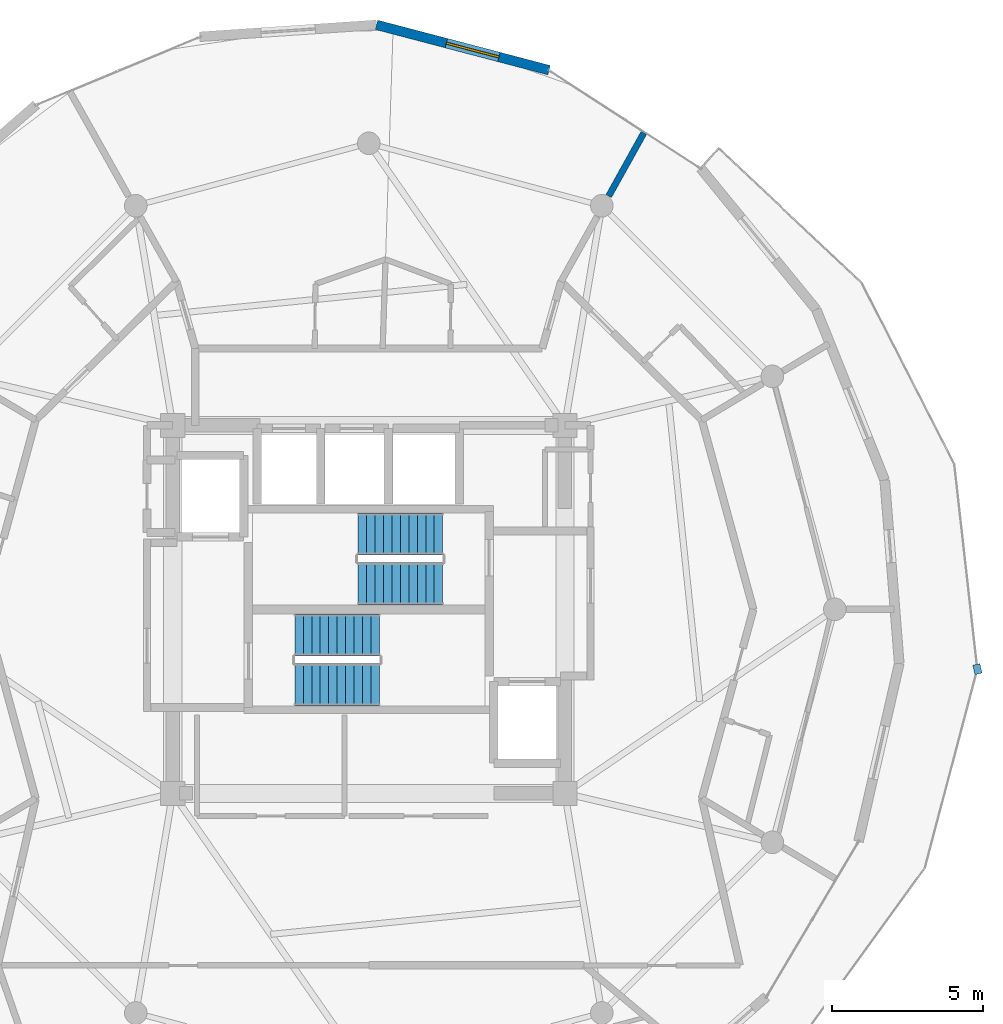
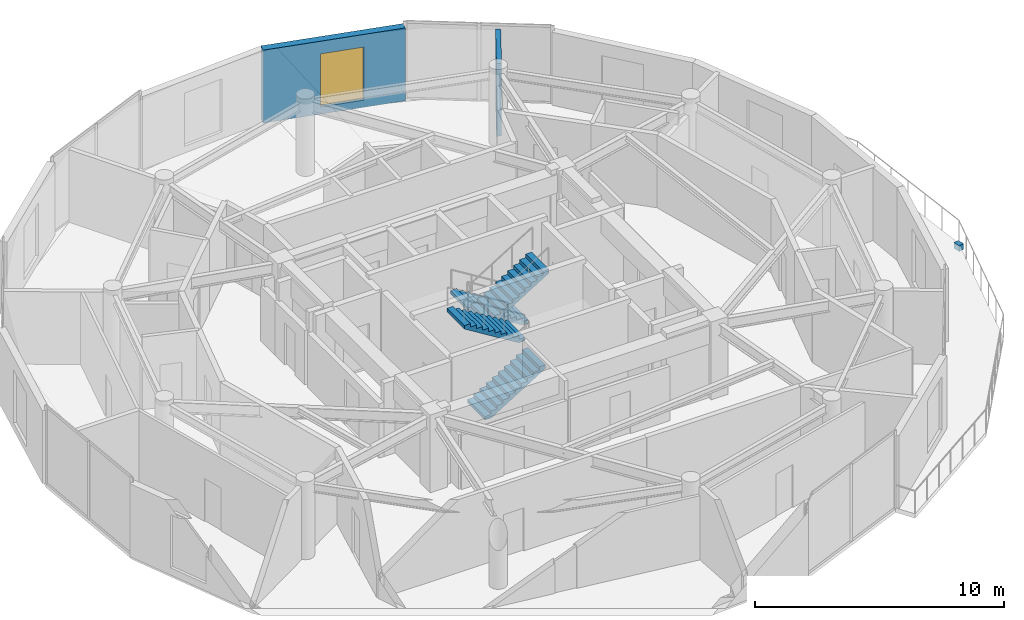
# One storey, part 20 of 22: 4 stair flights, 2 walls, 1 discrete accessory, 1 window, 1 opening, 2 elements without a shape of their own.
"""IFC4 building model written with IfcOpenShell, lengths in metres."""

from ifc_helpers import new_model, si_unit, direction, frame, frame_2d, origin, origin_2d, place, context, subcontext, project, spatial, polyline, rectangle, outline, extrude, material, layer, layer_set, type_object, element, fill, aggregate, save


model = new_model("IFC4")

# Units and contexts
model_context = context("Model", 3, precision=1e-05, world=origin(), true_north=direction((0.0, 1.0)))
body_context = subcontext(model_context, "Body", "Model", "MODEL_VIEW")
ifc_project = project(units=[si_unit("LENGTHUNIT", "METRE"), si_unit("AREAUNIT", "SQUARE_METRE"), si_unit("VOLUMEUNIT", "CUBIC_METRE"), si_unit("PLANEANGLEUNIT", "RADIAN"), si_unit("MASSUNIT", "GRAM", prefix="KILO")], contexts=[model_context])

# Site, building, storey
site_placement = place(None, origin())
site = spatial("IfcSite", under=ifc_project, at=site_placement, CompositionType="ELEMENT")
building_placement = place(site_placement, origin())
building = spatial("IfcBuilding", under=site, at=building_placement, Name="Solvirekh Grand Hotel", CompositionType="ELEMENT")
storey_placement = place(building_placement, frame((0.0, 0.0, 239.199951171875)))
storey = spatial("IfcBuildingStorey", under=building, at=storey_placement, Name="L62", CompositionType="ELEMENT", Elevation=239.199951171875)

# Wall, opening, window
ifc_material_1 = material(Name="Precast concrete C45/55", Category="concrete")
ifc_layer_1 = layer(ifc_material_1, 0.320068359375)
ifc_layer_set_1 = layer_set([ifc_layer_1], Name="Precast concrete C45/55")
wall_type_1 = type_object("IfcWallType", Name="ExtLobbyWall_RC320", PredefinedType="SOLIDWALL", material=ifc_layer_set_1)
wall_1_placement = place(storey_placement, frame((0.256103515625, 19.37890625, 0.0), z_axis=(0.0, 0.0, 1.0), x_axis=(0.967181914063, -0.254084917124, 0.0)))
wall_1 = element("IfcWall", 1, at=wall_1_placement, inside=storey, type_object=wall_type_1, Name="L62 exterior structural wall chord 9", PredefinedType="SOLIDWALL", context=body_context, shape_type="SweptSolid", body=[
    extrude(rectangle(XDim=5.9150390625, YDim=0.320068359375, at=frame_2d((2.95751953125, 0.0))), origin(), (0.0, 0.0, 1.0), 3.570068359375),
])
opening_placement = place(wall_1_placement, frame((2.39599609375, 0.0, 0.35009765625)))
opening = element("IfcOpeningElement", 2, at=opening_placement, cuts=wall_1, Name="Opening W02", PredefinedType="OPENING", context=body_context, shape_type="SweptSolid", body=[
    extrude(rectangle(XDim=1.800048828125, YDim=2.60009765625, at=frame_2d((0.89990234375, 1.300048828125))), frame((0.0, 0.169921875, 0.0), z_axis=(0.0, -1.0, 0.0), x_axis=(1.0, 0.0, 0.0)), (0.0, 0.0, 1.0), 0.340087890625),
])
ifc_material_2 = material(Name="Low-E Tinted Bronze Laminated Glass", Category="aluminium")
window_type = type_object("IfcWindowType", Name="Win_LobbyExt_1800X2600", PartitioningType="SINGLE_PANEL", PredefinedType="WINDOW", material=ifc_material_2)
window_placement = place(opening_placement, origin())
window = element("IfcWindow", 3, at=window_placement, inside=storey, type_object=window_type, Name="L62 panoramic bronze-framed window 9", OverallHeight=2.60009765625, OverallWidth=1.800048828125, PartitioningType="SINGLE_PANEL", PredefinedType="WINDOW", context=body_context, shape_type="SweptSolid", body=[
    extrude(rectangle(XDim=1.800048828125, YDim=2.60009765625, at=frame_2d((0.89990234375, 1.300048828125))), frame((0.0, 0.030029296875, 0.0), z_axis=(0.0, -1.0, 0.0), x_axis=(1.0, 0.0, 0.0)), (0.0, 0.0, 1.0), 0.06005859375),
])
fill(opening, window)

# Wall
ifc_material_3 = material(Name="Acoustic Gypsum Partition Assembly")
ifc_layer_2 = layer(ifc_material_3, 0.2099609375)
ifc_layer_set_2 = layer_set([ifc_layer_2], Name="Acoustic Gypsum Partition Assembly")
wall_type_2 = type_object("IfcWallType", Name="Part_SuiteDemise_210", PredefinedType="PARTITIONING", material=ifc_layer_set_2)
wall_2_placement = place(storey_placement, frame((7.9541015625, 13.701904296875, 0.0), z_axis=(0.0, 0.0, 1.0), x_axis=(0.486456485885, 0.873704805607, 0.0)))
element("IfcWall", 4, at=wall_2_placement, inside=storey, type_object=wall_type_2, Name="L62 suite radial wall 3 (B)", PredefinedType="PARTITIONING", context=body_context, shape_type="SweptSolid", body=[
    extrude(rectangle(XDim=2.39453125, YDim=0.2099609375, at=frame_2d((1.197265625, 0.0))), origin(), (0.0, 0.0, 1.0), 3.570068359375),
])

# Stair, stair flights
ifc_material_4 = material(Name="Concrete C40/50", Category="concrete")
stair_type = type_object("IfcStairType", Name="Stair_Core_1450", PredefinedType="HALF_TURN_STAIR", material=ifc_material_4)
stair_1_placement = place(storey_placement, origin())
stair_1 = element("IfcStair", 5, at=stair_1_placement, inside=storey, type_object=stair_type, Name="L62 Enclosed exit stair ST-1", PredefinedType="HALF_TURN_STAIR")
stair_flight_type = type_object("IfcStairFlightType", Name="Flight_Core_1450", PredefinedType="STRAIGHT", material=ifc_material_4)
stair_flight_1_placement = place(storey_placement, frame((-2.449951171875, -2.5, 0.0), z_axis=(0.0, 0.0, 1.0), x_axis=(1.0, 0.0, 0.0)))
stair_flight_1 = element("IfcStairFlight", 6, at=stair_flight_1_placement, type_object=stair_flight_type, Name="ST-1 flight 1", NumberOfRisers=11, NumberOfTreads=10, PredefinedType="STRAIGHT", RiserHeight=0.172727273, TreadLength=0.28, context=body_context, shape_type="SweptSolid", body=[
    extrude(outline(polyline([(0.0, 0.0), (0.0, 0.172607421875), (0.280029296875, 0.172607421875), (0.280029296875, 0.345458984375), (0.56005859375, 0.345458984375), (0.56005859375, 0.51806640625), (0.840087890625, 0.51806640625), (0.840087890625, 0.69091796875), (1.1201171875, 0.69091796875), (1.1201171875, 0.863525390625), (1.39990234375, 0.863525390625), (1.39990234375, 1.036376953125), (1.679931640625, 1.036376953125), (1.679931640625, 1.208984375), (1.9599609375, 1.208984375), (1.9599609375, 1.3818359375), (2.239990234375, 1.3818359375), (2.239990234375, 1.554443359375), (2.52001953125, 1.554443359375), (2.52001953125, 1.727294921875), (2.800048828125, 1.727294921875), (2.800048828125, 1.89990234375), (2.800048828125, 1.551025390625), (0.285400390625, 0.0), (0.0, 0.0)])), frame((0.0, 0.699951171875, 0.0), z_axis=(0.0, -1.0, 0.0), x_axis=(1.0, 0.0, 0.0)), (0.0, 0.0, 1.0), 1.39990234375),
])
stair_flight_2_placement = place(storey_placement, frame((0.35009765625, -0.85009765625, 1.900146484375), z_axis=(0.0, 0.0, 1.0), x_axis=(-1.0, 0.0, 0.0)))
stair_flight_2 = element("IfcStairFlight", 7, at=stair_flight_2_placement, type_object=stair_flight_type, Name="ST-1 flight 2", NumberOfRisers=11, NumberOfTreads=10, PredefinedType="STRAIGHT", RiserHeight=0.172727273, TreadLength=0.28, context=body_context, shape_type="SweptSolid", body=[
    extrude(outline(polyline([(0.0, 0.0), (0.0, 0.172607421875), (0.280029296875, 0.172607421875), (0.280029296875, 0.345458984375), (0.56005859375, 0.345458984375), (0.56005859375, 0.51806640625), (0.840087890625, 0.51806640625), (0.840087890625, 0.69091796875), (1.1201171875, 0.69091796875), (1.1201171875, 0.863525390625), (1.39990234375, 0.863525390625), (1.39990234375, 1.036376953125), (1.679931640625, 1.036376953125), (1.679931640625, 1.208984375), (1.9599609375, 1.208984375), (1.9599609375, 1.3818359375), (2.239990234375, 1.3818359375), (2.239990234375, 1.554443359375), (2.52001953125, 1.554443359375), (2.52001953125, 1.727294921875), (2.800048828125, 1.727294921875), (2.800048828125, 1.89990234375), (2.800048828125, 1.551025390625), (0.285400390625, 0.0), (0.0, 0.0)])), frame((0.0, 0.699951171875, 0.0), z_axis=(0.0, -1.0, 0.0), x_axis=(1.0, 0.0, 0.0)), (0.0, 0.0, 1.0), 1.39990234375),
])
aggregate(stair_1, [stair_flight_1, stair_flight_2])

stair_2_placement = place(storey_placement, origin())
stair_2 = element("IfcStair", 8, at=stair_2_placement, inside=storey, type_object=stair_type, Name="L62 Enclosed exit stair ST-2", PredefinedType="HALF_TURN_STAIR")
stair_flight_3_placement = place(storey_placement, frame((2.449951171875, 2.5, 0.0), z_axis=(0.0, 0.0, 1.0), x_axis=(-1.0, 0.0, 0.0)))
stair_flight_3 = element("IfcStairFlight", 9, at=stair_flight_3_placement, type_object=stair_flight_type, Name="ST-2 flight 1", NumberOfRisers=11, NumberOfTreads=10, PredefinedType="STRAIGHT", RiserHeight=0.172727273, TreadLength=0.28, context=body_context, shape_type="SweptSolid", body=[
    extrude(outline(polyline([(0.0, 0.0), (0.0, 0.172607421875), (0.280029296875, 0.172607421875), (0.280029296875, 0.345458984375), (0.56005859375, 0.345458984375), (0.56005859375, 0.51806640625), (0.840087890625, 0.51806640625), (0.840087890625, 0.69091796875), (1.1201171875, 0.69091796875), (1.1201171875, 0.863525390625), (1.39990234375, 0.863525390625), (1.39990234375, 1.036376953125), (1.679931640625, 1.036376953125), (1.679931640625, 1.208984375), (1.9599609375, 1.208984375), (1.9599609375, 1.3818359375), (2.239990234375, 1.3818359375), (2.239990234375, 1.554443359375), (2.52001953125, 1.554443359375), (2.52001953125, 1.727294921875), (2.800048828125, 1.727294921875), (2.800048828125, 1.89990234375), (2.800048828125, 1.551025390625), (0.285400390625, 0.0), (0.0, 0.0)])), frame((0.0, 0.699951171875, 0.0), z_axis=(0.0, -1.0, 0.0), x_axis=(1.0, 0.0, 0.0)), (0.0, 0.0, 1.0), 1.39990234375),
])
stair_flight_4_placement = place(storey_placement, frame((-0.35009765625, 0.85009765625, 1.900146484375), z_axis=(0.0, 0.0, 1.0), x_axis=(1.0, 0.0, 0.0)))
stair_flight_4 = element("IfcStairFlight", 10, at=stair_flight_4_placement, type_object=stair_flight_type, Name="ST-2 flight 2", NumberOfRisers=11, NumberOfTreads=10, PredefinedType="STRAIGHT", RiserHeight=0.172727273, TreadLength=0.28, context=body_context, shape_type="SweptSolid", body=[
    extrude(outline(polyline([(0.0, 0.0), (0.0, 0.172607421875), (0.280029296875, 0.172607421875), (0.280029296875, 0.345458984375), (0.56005859375, 0.345458984375), (0.56005859375, 0.51806640625), (0.840087890625, 0.51806640625), (0.840087890625, 0.69091796875), (1.1201171875, 0.69091796875), (1.1201171875, 0.863525390625), (1.39990234375, 0.863525390625), (1.39990234375, 1.036376953125), (1.679931640625, 1.036376953125), (1.679931640625, 1.208984375), (1.9599609375, 1.208984375), (1.9599609375, 1.3818359375), (2.239990234375, 1.3818359375), (2.239990234375, 1.554443359375), (2.52001953125, 1.554443359375), (2.52001953125, 1.727294921875), (2.800048828125, 1.727294921875), (2.800048828125, 1.89990234375), (2.800048828125, 1.551025390625), (0.285400390625, 0.0), (0.0, 0.0)])), frame((0.0, 0.699951171875, 0.0), z_axis=(0.0, -1.0, 0.0), x_axis=(1.0, 0.0, 0.0)), (0.0, 0.0, 1.0), 1.39990234375),
])
aggregate(stair_2, [stair_flight_3, stair_flight_4])

# Discrete accessory
ifc_material_5 = material(Name="Steel S355", Category="steel")
discrete_accessory_type = type_object("IfcDiscreteAccessoryType", Name="Acc_ThermalBracket", PredefinedType="BRACKET", material=ifc_material_5)
discrete_accessory_placement = place(storey_placement, frame((20.179931640625, -1.98291015625, -0.27978515625), z_axis=(0.0, 0.0, 1.0), x_axis=(0.228350870111, -0.973578902873, 0.0)))
element("IfcDiscreteAccessory", 11, at=discrete_accessory_placement, inside=storey, type_object=discrete_accessory_type, Name="L62 balcony thermal-break bracket", PredefinedType="BRACKET", context=body_context, shape_type="SweptSolid", body=[
    extrude(rectangle(XDim=0.320068359375, YDim=0.239990234375, at=origin_2d()), origin(), (0.0, 0.0, 1.0), 0.280029296875),
])

save(model, "model.ifc")
